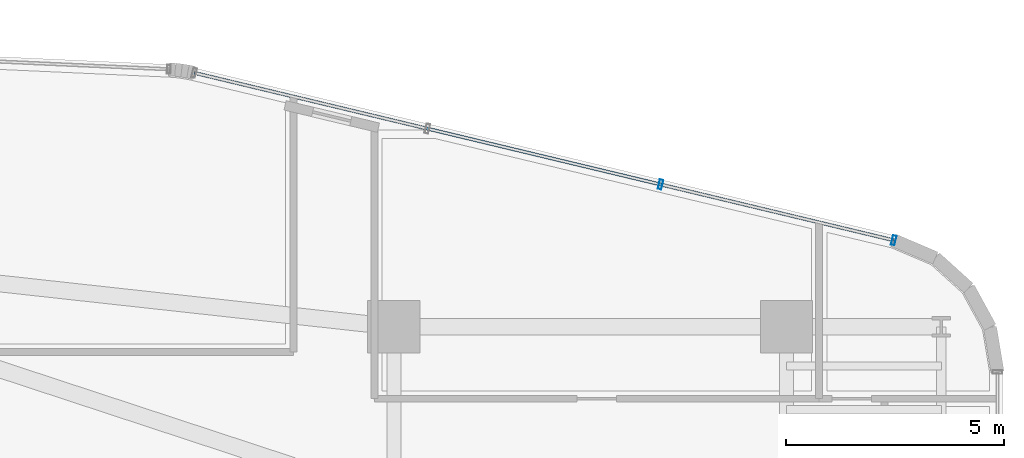
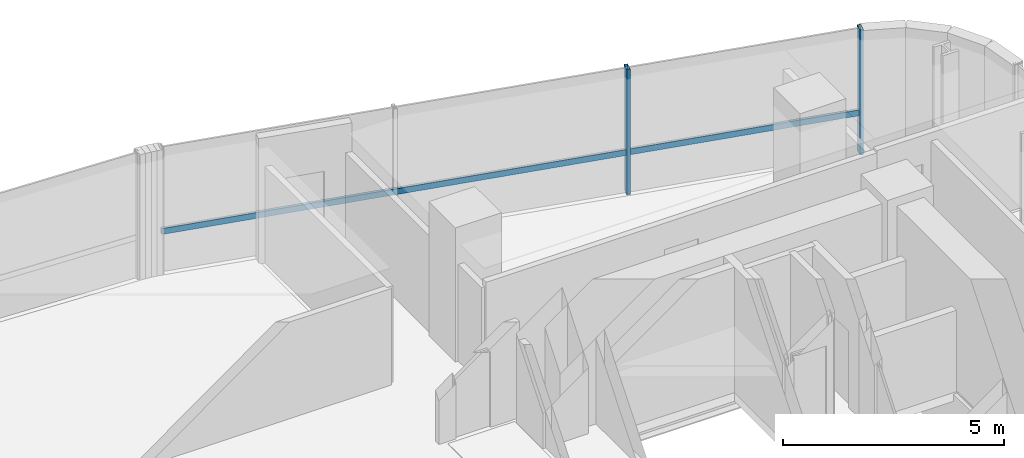
# One storey, part 23 of 34: 3 members, 1 element without a shape of its own.
"""IFC4 building model written with IfcOpenShell, lengths in metres."""

from ifc_helpers import new_model, si_unit, direction, frame, origin, origin_2d, place, context, subcontext, project, spatial, hollow_rectangle, extrude, source, transform, mapped, material, material_profile, profile_set, type_object, element, aggregate, save


model = new_model("IFC4")

# Units and contexts
model_context = context("Model", 3, precision=1e-05, world=origin(), true_north=direction((0.0, 1.0)))
body_context = subcontext(model_context, "Body", "Model", "MODEL_VIEW")
ifc_project = project(units=[si_unit("LENGTHUNIT", "METRE"), si_unit("AREAUNIT", "SQUARE_METRE"), si_unit("VOLUMEUNIT", "CUBIC_METRE"), si_unit("PLANEANGLEUNIT", "RADIAN"), si_unit("MASSUNIT", "GRAM", prefix="KILO")], contexts=[model_context])

# Site, building, storey
site_placement = place(None, origin())
site = spatial("IfcSite", under=ifc_project, at=site_placement, CompositionType="ELEMENT")
building_placement = place(site_placement, origin())
building = spatial("IfcBuilding", under=site, at=building_placement, Name="Valdorenza Pilgrim Sanctuary Tower", CompositionType="ELEMENT")
storey_placement = place(building_placement, frame((0.0, 0.0, 142.699951171875)))
storey = spatial("IfcBuildingStorey", under=building, at=storey_placement, Name="L36", CompositionType="ELEMENT", Elevation=142.699951171875)

# Curtain wall, members
ifc_material_1 = material(Name="Curtain-wall IGU glazing", Category="glass")
curtain_wall_type = type_object("IfcCurtainWallType", Name="CW-SYS-03", PredefinedType="NOTDEFINED", material=ifc_material_1)
curtain_wall_placement = place(storey_placement, origin())
curtain_wall = element("IfcCurtainWall", 1, at=curtain_wall_placement, inside=storey, type_object=curtain_wall_type, Name="L36 Curtain Wall CW-L36-1-16", PredefinedType="NOTDEFINED")
ifc_material_2 = material(Name="Anodised aluminium AW-6060", Category="aluminium")
ifc_material_profile_1 = material_profile(ifc_material_2, hollow_rectangle(XDim=0.0849609375, YDim=0.219970703125, WallThickness=0.0048828125, at=origin_2d()), Name="ALU-M 220x85x5")
ifc_profile_set_1 = profile_set([ifc_material_profile_1], Name="Anodised aluminium AW-6060")
member_type_1 = type_object("IfcMemberType", Name="CW-MUL-03", PredefinedType="MULLION", material=ifc_profile_set_1)
shared_shape_1 = source(origin(), body_context, "Body", "SweptSolid", [
    extrude(hollow_rectangle(XDim=0.0849609375, YDim=0.219970703125, WallThickness=0.0048828125, at=origin_2d()), origin(), (0.0, 0.0, 1.0), 3.4599609375),
])
member_1_placement = place(storey_placement, frame((21.964111328125, 16.7626953125, 0.0), z_axis=(0.0, 0.0, 1.0), x_axis=(0.972528596343, -0.232783438617, 0.0)))
member_1 = element("IfcMember", 2, at=member_1_placement, type_object=member_type_1, Name="CW-L36-1-16 Mullion 3", PredefinedType="MULLION", context=body_context, shape_type="MappedRepresentation", body=[
    mapped(shared_shape_1, transform((0.0, 0.0, 0.0), x_axis=(1.0, 0.0, 0.0), y_axis=(0.0, 1.0, 0.0), z_axis=(0.0, 0.0, 1.0), scale=1.0)),
])
member_2_placement = place(storey_placement, frame((27.310302734375, 15.48291015625, 0.0), z_axis=(0.0, 0.0, 1.0), x_axis=(0.972528596343, -0.232783438617, 0.0)))
member_2 = element("IfcMember", 3, at=member_2_placement, type_object=member_type_1, Name="CW-L36-1-16 Mullion 4", PredefinedType="MULLION", context=body_context, shape_type="MappedRepresentation", body=[
    mapped(shared_shape_1, transform((0.0, 0.0, 0.0), x_axis=(1.0, 0.0, 0.0), y_axis=(0.0, 1.0, 0.0), z_axis=(0.0, 0.0, 1.0), scale=1.0)),
])
ifc_material_profile_2 = material_profile(ifc_material_2, hollow_rectangle(XDim=0.074951171875, YDim=0.159912109375, WallThickness=0.00390625, at=origin_2d()), Name="ALU-T 160x75x4")
ifc_profile_set_2 = profile_set([ifc_material_profile_2], Name="Anodised aluminium AW-6060")
member_type_2 = type_object("IfcMemberType", Name="CW-TRN-03", PredefinedType="USERDEFINED", material=ifc_profile_set_2)
shared_shape_2 = source(origin(), body_context, "Body", "SweptSolid", [
    extrude(hollow_rectangle(XDim=0.074951171875, YDim=0.159912109375, WallThickness=0.00390625, at=origin_2d()), origin(), (0.0, 0.0, 1.0), 16.491943359375),
])
member_3_placement = place(storey_placement, frame((11.271484375, 19.322021484375, 1.1201171875), z_axis=(0.972527548122, -0.232787817859, 0.0), x_axis=(0.232787817859, 0.972527548122, 0.0)))
member_3 = element("IfcMember", 4, at=member_3_placement, type_object=member_type_2, Name="CW-L36-1-16 Transom 1", ObjectType="TRANSOM", PredefinedType="USERDEFINED", context=body_context, shape_type="MappedRepresentation", body=[
    mapped(shared_shape_2, transform((0.0, 0.0, 0.0), x_axis=(1.0, 0.0, 0.0), y_axis=(0.0, 1.0, 0.0), z_axis=(0.0, 0.0, 1.0), scale=1.0)),
])
aggregate(curtain_wall, [member_1, member_2, member_3])

save(model, "model.ifc")
